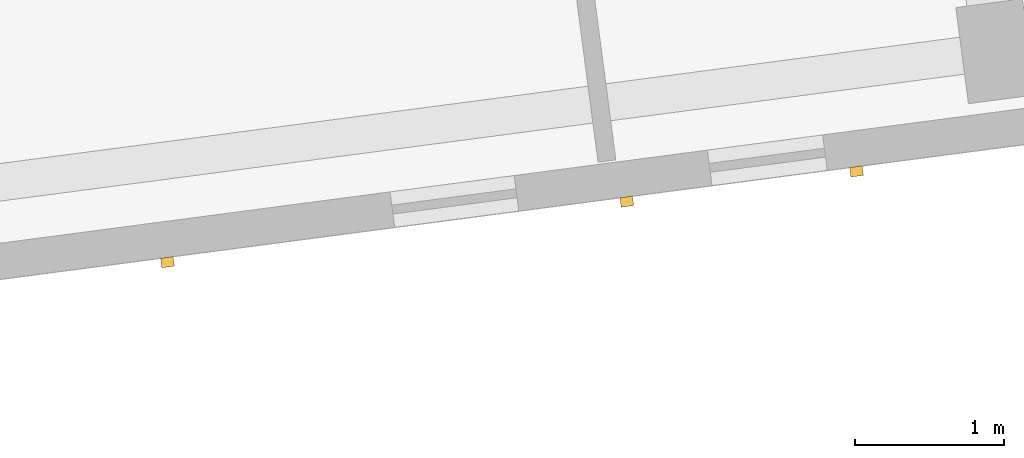
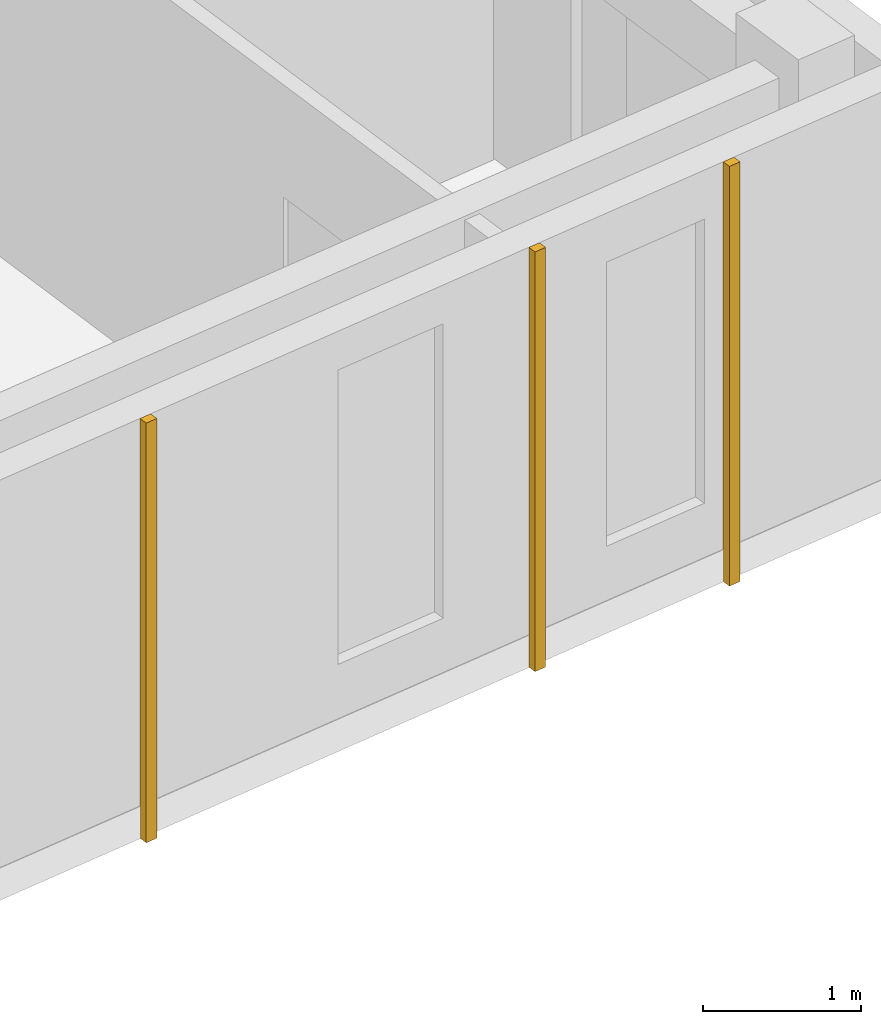
# One storey, part 23 of 34: 3 coverings.
"""IFC4 building model written with IfcOpenShell, lengths in metres."""

import ifcopenshell
import ifcopenshell.guid

model = None  # the IFC model being written
_history = None  # IfcOwnerHistory: only IFC2X3 demands one
_inside = {}  # id of a spatial element -> (the spatial element, [elements in it])
_under = {}  # id of a project, library or spatial element -> (it, [spatial elements below it])
_declared = {}  # id of a project -> (the project, [libraries it declares])
_typed = {}  # id of a type object -> (the type object, [elements of that type])
_made_of = {}  # id of a material, layer set ... -> (it, [elements and type objects made of it])


def new_model(schema):
    """Start an empty IFC model of exactly this schema.

    Asked for "IFC4X3", IfcOpenShell would pick the latest addendum, in which some entities
    have other attributes; the version numbers below select the first issue.
    IFC2X3 requires an IfcOwnerHistory on every rooted entity: one is made here for all.
    """
    global model, _history
    if schema == "IFC4X3":
        model = ifcopenshell.file(schema_version=(4, 3, 0, 0))
    else:
        model = ifcopenshell.file(schema=schema)
    _inside.clear()
    _under.clear()
    _declared.clear()
    _typed.clear()
    _made_of.clear()
    _history = None
    if model.schema == "IFC2X3":
        org = make("IfcOrganization", Name="unknown")
        user = make(
            "IfcPersonAndOrganization",
            ThePerson=make("IfcPerson", FamilyName="unknown"),
            TheOrganization=org,
        )
        app = make(
            "IfcApplication",
            ApplicationDeveloper=org,
            Version="unknown",
            ApplicationFullName="unknown",
            ApplicationIdentifier="unknown",
        )
        _history = make(
            "IfcOwnerHistory",
            OwningUser=user,
            OwningApplication=app,
            ChangeAction="ADDED",
            CreationDate=0,
        )
    return model


def make(cls, **values):
    """One entity of the class cls with the attributes given. An attribute that is None is left unset."""
    return model.create_entity(
        cls, **{name: value for name, value in values.items() if value is not None}
    )


def rooted(cls, **values):
    """An entity with a GlobalId (a new one), such as an element, a storey or a relation."""
    return make(cls, GlobalId=ifcopenshell.guid.new(), OwnerHistory=_history, **values)


def si_unit(unit_type, name, prefix=None):
    """IfcSIUnit, for example si_unit("LENGTHUNIT", "METRE", prefix="MILLI")."""
    return make("IfcSIUnit", UnitType=unit_type, Prefix=prefix, Name=name)


def assignment(units):
    """IfcUnitAssignment: the units of a project."""
    return None if units is None else make("IfcUnitAssignment", Units=units)


def point(xyz):
    """IfcCartesianPoint."""
    return None if xyz is None else make("IfcCartesianPoint", Coordinates=xyz)


def direction(xyz):
    """IfcDirection."""
    return None if xyz is None else make("IfcDirection", DirectionRatios=xyz)


def frame(location, z_axis=None, x_axis=None):
    """IfcAxis2Placement3D, a coordinate frame: its origin and axes. An axis left out is left unset."""
    return make(
        "IfcAxis2Placement3D",
        Location=point(location),
        Axis=direction(z_axis),
        RefDirection=direction(x_axis),
    )


def frame_2d(location, x_axis=None):
    """IfcAxis2Placement2D, a coordinate frame in the plane: its origin and x axis."""
    return make(
        "IfcAxis2Placement2D", Location=point(location), RefDirection=direction(x_axis)
    )


def origin():
    """The frame at (0, 0, 0) with its axes left unset."""
    return frame((0.0, 0.0, 0.0))


def origin_2d():
    """The frame at (0, 0) in the plane with its x axis left unset."""
    return frame_2d((0.0, 0.0))


def place(relative_to, where):
    """IfcLocalPlacement: puts the frame where relative to a parent placement (None: the world)."""
    return make(
        "IfcLocalPlacement", PlacementRelTo=relative_to, RelativePlacement=where
    )


def context(
    kind, dimensions, precision=None, world=None, true_north=None, identifier=None
):
    """IfcGeometricRepresentationContext, for example the 3D "Model" context."""
    return make(
        "IfcGeometricRepresentationContext",
        ContextIdentifier=identifier,
        ContextType=kind,
        CoordinateSpaceDimension=dimensions,
        Precision=precision,
        WorldCoordinateSystem=world,
        TrueNorth=true_north,
    )


def subcontext(parent, identifier, kind, view, scale=None):
    """IfcGeometricRepresentationSubContext, for example "Body" below "Model"."""
    return make(
        "IfcGeometricRepresentationSubContext",
        ContextIdentifier=identifier,
        ContextType=kind,
        ParentContext=parent,
        TargetScale=scale,
        TargetView=view,
    )


def project(units=None, contexts=None):
    """IfcProject with its units and contexts."""
    return rooted(
        "IfcProject",
        Name="project",
        RepresentationContexts=contexts,
        UnitsInContext=assignment(units),
    )


def spatial(cls, under=None, at=None, **own):
    """A site, building, storey or space (cls), placed at a placement, below another one or the project."""
    s = rooted(cls, ObjectPlacement=at, **own)
    if under is not None:
        _under.setdefault(under.id(), (under, []))[1].append(s)
    return s


def profile(cls, at=None, kind="AREA", **sizes):
    """A parametric profile (cls). Its sizes go by their IFC names, for example OverallWidth=200.0."""
    return make(cls, ProfileType=kind, Position=at, **sizes)


def rectangle(**sizes):
    """IfcRectangleProfileDef."""
    return profile("IfcRectangleProfileDef", **sizes)


def extrude(swept, where, along, depth):
    """IfcExtrudedAreaSolid: the profile swept, set in the frame where, extruded along a direction by depth."""
    return make(
        "IfcExtrudedAreaSolid",
        SweptArea=swept,
        Position=where,
        ExtrudedDirection=direction(along),
        Depth=depth,
    )


def shape(context_of_items, identifier, shape_type, items):
    """IfcShapeRepresentation: the items that make up one representation, for example the "Body"."""
    return make(
        "IfcShapeRepresentation",
        ContextOfItems=context_of_items,
        RepresentationIdentifier=identifier,
        RepresentationType=shape_type,
        Items=items,
    )


def material(Name=None, Category=None):
    """IfcMaterial."""
    return make("IfcMaterial", Name=Name, Category=Category)


def layer(
    of_material, thickness, ventilated=None, Name=None, Category=None, Priority=None
):
    """IfcMaterialLayer: one layer of a wall or slab, of a material (None: an air gap)."""
    return make(
        "IfcMaterialLayer",
        Material=of_material,
        LayerThickness=thickness,
        IsVentilated=ventilated,
        Name=Name,
        Category=Category,
        Priority=Priority,
    )


def layer_set(layers, Name=None):
    """IfcMaterialLayerSet."""
    return make("IfcMaterialLayerSet", MaterialLayers=layers, LayerSetName=Name)


def made_of(thing, what):
    """Note that an element or type object is made of a material, layer set ...; save() writes the relation."""
    if what is not None:
        _made_of.setdefault(what.id(), (what, []))[1].append(thing)
    return thing


def type_object(cls, material=None, **own):
    """A type object (cls), such as IfcWallType, which elements share."""
    return made_of(rooted(cls, **own), material)


def element(
    cls,
    number,
    at=None,
    inside=None,
    cuts=None,
    type_object=None,
    material=None,
    context=None,
    identifier="Body",
    shape_type=None,
    held_by="IfcProductDefinitionShape",
    body=None,
    shapes=None,
    **own,
):
    """One element of the class cls, such as IfcWall. Its Tag is "e" and its number.

    at: its placement. inside: the storey or other place that contains it. cuts: it is an
    opening in that element (IfcRelVoidsElement). A single representation is given by context,
    identifier, shape_type and body (its items); several are given by shapes. held_by: the class
    of the entity that holds the representations. save() writes the other relations.
    """
    e = rooted(cls, Tag="e%d" % number, ObjectPlacement=at, **own)
    if body is not None:
        shapes = [shape(context, identifier, shape_type, body)]
    if shapes is not None:
        e.Representation = make(held_by, Representations=shapes)
    if inside is not None:
        _inside.setdefault(inside.id(), (inside, []))[1].append(e)
    if cuts is not None:
        rooted(
            "IfcRelVoidsElement", RelatingBuildingElement=cuts, RelatedOpeningElement=e
        )
    if type_object is not None:
        _typed.setdefault(type_object.id(), (type_object, []))[1].append(e)
    return made_of(e, material)


def aggregate(whole, parts):
    """IfcRelAggregates: a whole, such as a stair, and the parts it consists of."""
    return rooted("IfcRelAggregates", RelatingObject=whole, RelatedObjects=parts)


def save(model, path):
    """Write the relations noted so far, then the file.

    IfcRelAggregates (storeys below a building ...), IfcRelContainedInSpatialStructure (elements
    in a storey), IfcRelDefinesByType, IfcRelAssociatesMaterial and IfcRelDeclares: one each for
    every whole, place, type object, material and project.
    """
    for whole, parts in _under.values():
        aggregate(whole, parts)
    for where, things in _inside.values():
        rooted(
            "IfcRelContainedInSpatialStructure",
            RelatedElements=things,
            RelatingStructure=where,
        )
    for kind, things in _typed.values():
        rooted("IfcRelDefinesByType", RelatedObjects=things, RelatingType=kind)
    for what, things in _made_of.values():
        rooted("IfcRelAssociatesMaterial", RelatedObjects=things, RelatingMaterial=what)
    for by, libraries in _declared.values():
        rooted("IfcRelDeclares", RelatingContext=by, RelatedDefinitions=libraries)
    model.write(path)


model = new_model("IFC4")

# Units and contexts
model_context = context("Model", 3, precision=1e-05, world=origin(), true_north=direction((0.0, 1.0)))
body_context = subcontext(model_context, "Body", "Model", "MODEL_VIEW")
ifc_project = project(units=[si_unit("LENGTHUNIT", "METRE"), si_unit("AREAUNIT", "SQUARE_METRE"), si_unit("VOLUMEUNIT", "CUBIC_METRE"), si_unit("PLANEANGLEUNIT", "RADIAN"), si_unit("MASSUNIT", "GRAM", prefix="KILO")], contexts=[model_context])

# Site, building, storey
site_placement = place(None, origin())
site = spatial("IfcSite", under=ifc_project, at=site_placement, CompositionType="ELEMENT")
building_placement = place(site_placement, origin())
building = spatial("IfcBuilding", under=site, at=building_placement, Name="Kestramere Prow Commons", CompositionType="ELEMENT")
storey_placement = place(building_placement, frame((0.0, 0.0, 34.39990234375)))
storey = spatial("IfcBuildingStorey", under=building, at=storey_placement, Name="L10", CompositionType="ELEMENT", Elevation=34.39990234375)

# Coverings
ifc_material = material(Name="Weathered Zinc-Titanium Standing-Seam Cladding")
ifc_layer = layer(ifc_material, 0.074951171875)
ifc_layer_set = layer_set([ifc_layer], Name="Weathered Zinc-Titanium Standing-Seam Cladding")
covering_type = type_object("IfcCoveringType", Name="COV-CLAD-SEAM", PredefinedType="CLADDING", material=ifc_layer_set)
for number, where, z_axis, x_axis, name in (
    (1, (62.616455078125, 78.085693359375, -0.25), (0.0, 0.0, 1.0), (-0.991444861374, -0.13052619222, 0.0), "EW-A-L10-S-5 Standing-Seam Rib 1"),
    (2, (61.075439453125, 77.8828125, -0.25), (0.0, 0.0, 1.0), (-0.991444861374, -0.13052619222, 0.0), "EW-A-L10-S-5 Standing-Seam Rib 2"),
    (3, (57.99365234375, 77.47705078125, -0.25), (0.0, 0.0, 1.0), (-0.991444861374, -0.13052619222, 0.0), "EW-A-L10-S-5 Standing-Seam Rib 4"),
):
    element("IfcCovering", number, at=place(storey_placement, frame(where, z_axis=z_axis, x_axis=x_axis)), inside=storey, type_object=covering_type, Name=name, PredefinedType="CLADDING", context=body_context, shape_type="SweptSolid", body=[
        extrude(rectangle(XDim=0.0849609375, YDim=0.06494140625, at=origin_2d()), origin(), (0.0, 0.0, 1.0), 3.25),
    ])

save(model, "model.ifc")
